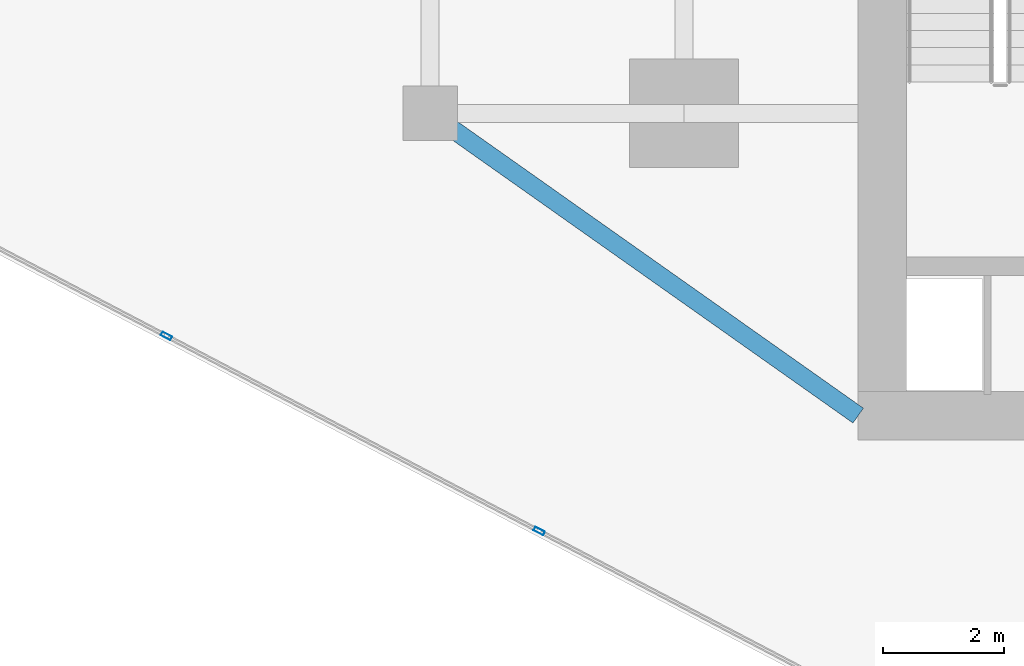
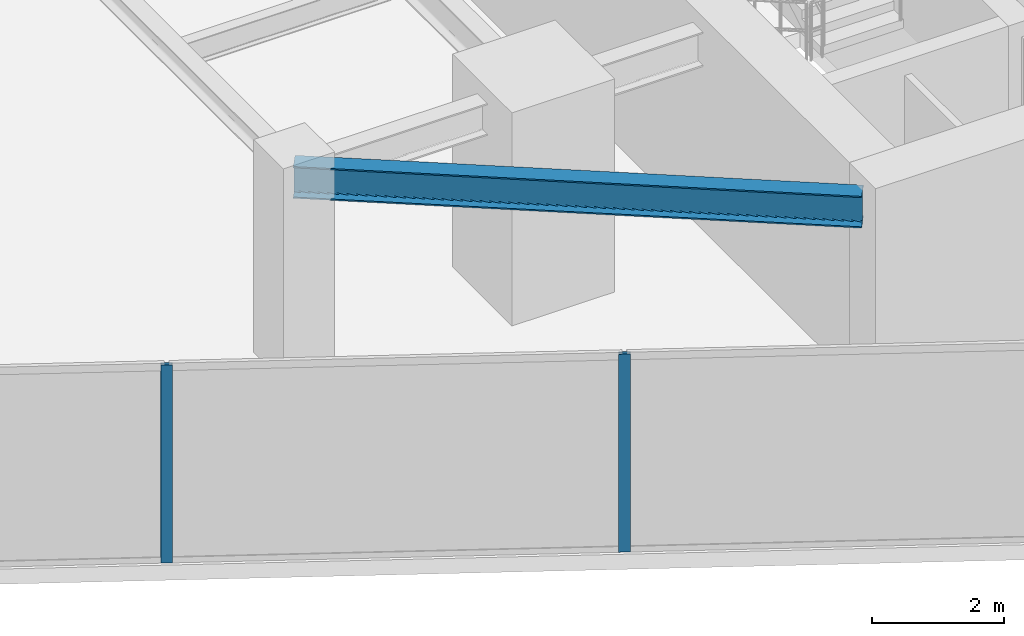
# One storey, part 2 of 27: 2 members, 1 beam, 1 element without a shape of its own.
"""IFC4 building model written with IfcOpenShell, lengths in metres."""

from ifc_helpers import new_model, si_unit, direction, frame, origin, origin_2d, place, context, subcontext, project, spatial, hollow_rectangle, i_section, extrude, source, transform, mapped, material, material_profile, profile_set, type_object, type_shapes, element, aggregate, save


model = new_model("IFC4")

# Units and contexts
model_context = context("Model", 3, precision=1e-05, world=origin(), true_north=direction((0.0, 1.0)))
body_context = subcontext(model_context, "Body", "Model", "MODEL_VIEW")
ifc_project = project(units=[si_unit("LENGTHUNIT", "METRE"), si_unit("AREAUNIT", "SQUARE_METRE"), si_unit("VOLUMEUNIT", "CUBIC_METRE"), si_unit("PLANEANGLEUNIT", "RADIAN"), si_unit("MASSUNIT", "GRAM", prefix="KILO")], contexts=[model_context])

# Site, building, storey
site_placement = place(None, origin())
site = spatial("IfcSite", under=ifc_project, at=site_placement, CompositionType="ELEMENT")
building_placement = place(site_placement, origin())
building = spatial("IfcBuilding", under=site, at=building_placement, Name="Krantzveldt Concourse Tower", CompositionType="ELEMENT")
storey_placement = place(building_placement, frame((0.0, 0.0, 154.10009765625)))
storey = spatial("IfcBuildingStorey", under=building, at=storey_placement, Name="L37", CompositionType="ELEMENT", Elevation=154.10009765625)

# Beam
ifc_material_1 = material(Name="Steel S355JR", Category="steel")
ifc_material_profile_1 = material_profile(ifc_material_1, i_section(OverallWidth=0.300048828125, OverallDepth=0.590087890625, WebThickness=0.012939453125, FlangeThickness=0.02490234375, FilletRadius=0.027099609375, at=origin_2d()), Name="Steel S355JR", Category="steel")
ifc_profile_set_1 = profile_set([ifc_material_profile_1], Name="Steel S355JR - HEA 600")
beam_type = type_object("IfcBeamType", Name="BM-B-HEA600", PredefinedType="BEAM", material=ifc_profile_set_1)
shared_shape_1 = source(origin(), body_context, "Body", "SweptSolid", [
    extrude(i_section(OverallWidth=0.300048828125, OverallDepth=0.590087890625, WebThickness=0.012939453125, FlangeThickness=0.02490234375, FilletRadius=0.027099609375, at=origin_2d()), origin(), (0.0, 0.0, 1.0), 8.667724609375),
])
type_shapes(beam_type, [shared_shape_1])
beam_placement = place(storey_placement, frame((21.0, 15.89990234375, 3.375), z_axis=(0.81684294656, -0.576860122261, 0.0), x_axis=(0.576860122261, 0.81684294656, 0.0)))
element("IfcBeam", 1, at=beam_placement, inside=storey, type_object=beam_type, Name="L37 Tower Girder BR-CSW", PredefinedType="BEAM", context=body_context, shape_type="MappedRepresentation", body=[
    mapped(shared_shape_1, transform((0.0, 0.0, 0.0), x_axis=(1.0, 0.0, 0.0), y_axis=(0.0, 1.0, 0.0), z_axis=(0.0, 0.0, 1.0), scale=1.0)),
])

# Curtain wall, members
ifc_material_2 = material(Name="Anodised aluminium 6063-T6", Category="aluminium")
curtain_wall_type = type_object("IfcCurtainWallType", Name="CW3", PredefinedType="USERDEFINED", material=ifc_material_2)
curtain_wall_placement = place(storey_placement, origin())
curtain_wall = element("IfcCurtainWall", 2, at=curtain_wall_placement, inside=storey, type_object=curtain_wall_type, Name="CW-L37-F04", ObjectType="UNITISED CURTAIN WALL", PredefinedType="USERDEFINED")
ifc_material_profile_2 = material_profile(ifc_material_2, hollow_rectangle(XDim=0.070068359375, YDim=0.179931640625, WallThickness=0.0048828125, at=origin_2d()), Name="Anodised aluminium 6063-T6", Category="aluminium")
ifc_profile_set_2 = profile_set([ifc_material_profile_2], Name="Anodised aluminium 6063-T6 - ALU-MULL 180x70x5")
member_type = type_object("IfcMemberType", Name="CW-MUL-180", PredefinedType="MULLION", material=ifc_profile_set_2)
shared_shape_2 = source(origin(), body_context, "Body", "SweptSolid", [
    extrude(hollow_rectangle(XDim=0.070068359375, YDim=0.179931640625, WallThickness=0.0048828125, at=origin_2d()), origin(), (0.0, 0.0, 1.0), 3.669921875),
])
type_shapes(member_type, [shared_shape_2])
member_1_placement = place(storey_placement, frame((16.63720703125, 12.217041015625, 0.0), z_axis=(0.0, 0.0, 1.0), x_axis=(0.463682819502, 0.886001265743, 0.0)))
member_1 = element("IfcMember", 3, at=member_1_placement, type_object=member_type, Name="CW-Z34 mullion 2", PredefinedType="MULLION", context=body_context, shape_type="MappedRepresentation", body=[
    mapped(shared_shape_2, transform((0.0, 0.0, 0.0), x_axis=(1.0, 0.0, 0.0), y_axis=(0.0, 1.0, 0.0), z_axis=(0.0, 0.0, 1.0), scale=1.0)),
])
member_2_placement = place(storey_placement, frame((22.8037109375, 8.989990234375, 0.0), z_axis=(0.0, 0.0, 1.0), x_axis=(0.463682819502, 0.886001265743, 0.0)))
member_2 = element("IfcMember", 4, at=member_2_placement, type_object=member_type, Name="CW-Z34 mullion 3", PredefinedType="MULLION", context=body_context, shape_type="MappedRepresentation", body=[
    mapped(shared_shape_2, transform((0.0, 0.0, 0.0), x_axis=(1.0, 0.0, 0.0), y_axis=(0.0, 1.0, 0.0), z_axis=(0.0, 0.0, 1.0), scale=1.0)),
])
aggregate(curtain_wall, [member_1, member_2])

save(model, "model.ifc")
